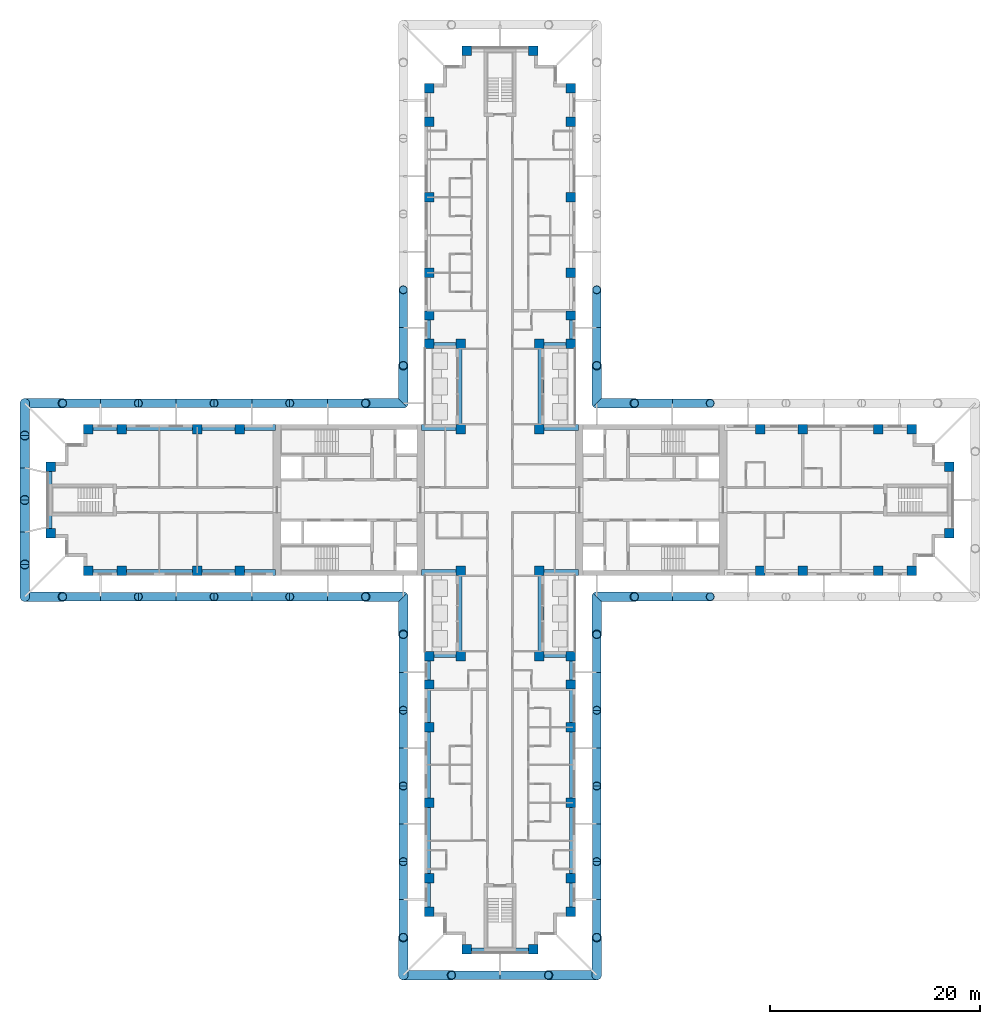
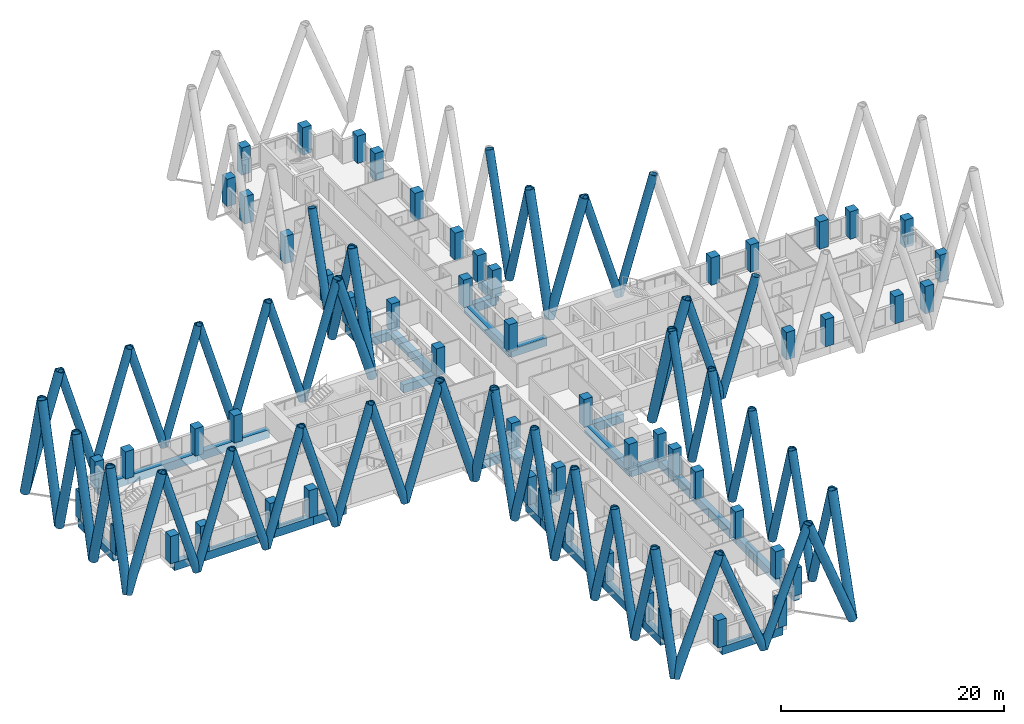
# One storey, part 1 of 17: 62 members, 56 columns, 34 beams.
"""IFC4 building model written with IfcOpenShell, lengths in metres."""

from ifc_helpers import new_model, si_unit, direction, frame, origin, origin_2d, place, context, subcontext, project, spatial, rectangle, hollow_circle, extrude, material, material_profile, profile_set, type_object, element, save


model = new_model("IFC4")

# Units and contexts
model_context = context("Model", 3, precision=1e-05, world=origin(), true_north=direction((0.0, 1.0)))
body_context = subcontext(model_context, "Body", "Model", "MODEL_VIEW")
ifc_project = project(units=[si_unit("LENGTHUNIT", "METRE"), si_unit("AREAUNIT", "SQUARE_METRE"), si_unit("VOLUMEUNIT", "CUBIC_METRE"), si_unit("PLANEANGLEUNIT", "RADIAN"), si_unit("MASSUNIT", "GRAM", prefix="KILO")], contexts=[model_context])

# Site, building, storey
site_placement = place(None, origin())
site = spatial("IfcSite", under=ifc_project, at=site_placement, CompositionType="ELEMENT")
building_placement = place(site_placement, origin())
building = spatial("IfcBuilding", under=site, at=building_placement, Name="Fustian Cross Tower", CompositionType="ELEMENT")
storey_placement = place(building_placement, frame((0.0, 0.0, 32.699951171875)))
storey = spatial("IfcBuildingStorey", under=building, at=storey_placement, Name="L09", CompositionType="ELEMENT", Elevation=32.699951171875)

# Columns
ifc_material_1 = material(Name="Concrete C70/85", Category="concrete")
ifc_material_profile_1 = material_profile(ifc_material_1, rectangle(XDim=0.89990234375, YDim=0.89990234375, at=origin_2d()), Name="RC 900x900")
ifc_profile_set_1 = profile_set([ifc_material_profile_1], Name="Concrete C70/85")
column_type = type_object("IfcColumnType", Name="COLUMN RC 900x900 C70/85", PredefinedType="COLUMN", material=ifc_profile_set_1)
for number, where, z_axis, x_axis, name in (
    (1, (-42.75, -3.14990234375, 0.0), (0.0, 0.0, 1.0), (1.0, 0.0, 0.0), "COLUMN 001"),
    (2, (-42.75, 3.14990234375, 0.0), (0.0, 0.0, 1.0), (1.0, 0.0, 0.0), "COLUMN 002"),
    (3, (-39.14990234375, -6.75, 0.0), (0.0, 0.0, 1.0), (1.0, 0.0, 0.0), "COLUMN 003"),
    (4, (-39.14990234375, 6.75, 0.0), (0.0, 0.0, 1.0), (1.0, 0.0, 0.0), "COLUMN 004"),
    (5, (-36.0, -6.75, 0.0), (0.0, 0.0, 1.0), (1.0, 0.0, 0.0), "COLUMN 005"),
    (6, (-36.0, 6.75, 0.0), (0.0, 0.0, 1.0), (1.0, 0.0, 0.0), "COLUMN 006"),
    (7, (-28.800048828125, -6.75, 0.0), (0.0, 0.0, 1.0), (1.0, 0.0, 0.0), "COLUMN 007"),
    (8, (-28.800048828125, 6.75, 0.0), (0.0, 0.0, 1.0), (1.0, 0.0, 0.0), "COLUMN 010"),
    (9, (-24.75, -6.75, 0.0), (0.0, 0.0, 1.0), (1.0, 0.0, 0.0), "COLUMN 011"),
    (10, (-24.75, 6.75, 0.0), (0.0, 0.0, 1.0), (1.0, 0.0, 0.0), "COLUMN 012"),
    (11, (-6.75, -39.14990234375, 0.0), (0.0, 0.0, 1.0), (1.0, 0.0, 0.0), "COLUMN 013"),
    (12, (-6.75, -36.0, 0.0), (0.0, 0.0, 1.0), (1.0, 0.0, 0.0), "COLUMN 014"),
    (13, (-6.75, -28.800048828125, 0.0), (0.0, 0.0, 1.0), (1.0, 0.0, 0.0), "COLUMN 015"),
    (14, (-6.75, -21.60009765625, 0.0), (0.0, 0.0, 1.0), (1.0, 0.0, 0.0), "COLUMN 016"),
    (15, (-6.75, -17.550048828125, 0.0), (0.0, 0.0, 1.0), (1.0, 0.0, 0.0), "COLUMN 017"),
    (16, (-6.75, -14.85009765625, 0.0), (0.0, 0.0, 1.0), (1.0, 0.0, 0.0), "COLUMN 018"),
    (17, (-6.75, 14.85009765625, 0.0), (0.0, 0.0, 1.0), (1.0, 0.0, 0.0), "COLUMN 019"),
    (18, (-6.75, 17.550048828125, 0.0), (0.0, 0.0, 1.0), (1.0, 0.0, 0.0), "COLUMN 020"),
    (19, (-6.75, 21.60009765625, 0.0), (0.0, 0.0, 1.0), (1.0, 0.0, 0.0), "COLUMN 021"),
    (20, (-6.75, 28.800048828125, 0.0), (0.0, 0.0, 1.0), (1.0, 0.0, 0.0), "COLUMN 022"),
    (21, (-6.75, 36.0, 0.0), (0.0, 0.0, 1.0), (1.0, 0.0, 0.0), "COLUMN 023"),
    (22, (-6.75, 39.14990234375, 0.0), (0.0, 0.0, 1.0), (1.0, 0.0, 0.0), "COLUMN 024"),
    (23, (-3.75, -14.85009765625, 0.0), (0.0, 0.0, 1.0), (1.0, 0.0, 0.0), "COLUMN 025"),
    (24, (-3.75, -6.75, 0.0), (0.0, 0.0, 1.0), (1.0, 0.0, 0.0), "COLUMN 026"),
    (25, (-3.75, 6.75, 0.0), (0.0, 0.0, 1.0), (1.0, 0.0, 0.0), "COLUMN 027"),
    (26, (-3.75, 14.85009765625, 0.0), (0.0, 0.0, 1.0), (1.0, 0.0, 0.0), "COLUMN 028"),
    (27, (-3.14990234375, -42.75, 0.0), (0.0, 0.0, 1.0), (1.0, 0.0, 0.0), "COLUMN 029"),
    (28, (-3.14990234375, 42.75, 0.0), (0.0, 0.0, 1.0), (1.0, 0.0, 0.0), "COLUMN 032"),
    (29, (3.14990234375, -42.75, 0.0), (0.0, 0.0, 1.0), (1.0, 0.0, 0.0), "COLUMN 033"),
    (30, (3.14990234375, 42.75, 0.0), (0.0, 0.0, 1.0), (1.0, 0.0, 0.0), "COLUMN 036"),
    (31, (3.75, -14.85009765625, 0.0), (0.0, 0.0, 1.0), (1.0, 0.0, 0.0), "COLUMN 037"),
    (32, (3.75, -6.75, 0.0), (0.0, 0.0, 1.0), (1.0, 0.0, 0.0), "COLUMN 038"),
    (33, (3.75, 6.75, 0.0), (0.0, 0.0, 1.0), (1.0, 0.0, 0.0), "COLUMN 039"),
    (34, (3.75, 14.85009765625, 0.0), (0.0, 0.0, 1.0), (1.0, 0.0, 0.0), "COLUMN 040"),
    (35, (6.75, -39.14990234375, 0.0), (0.0, 0.0, 1.0), (1.0, 0.0, 0.0), "COLUMN 041"),
    (36, (6.75, -36.0, 0.0), (0.0, 0.0, 1.0), (1.0, 0.0, 0.0), "COLUMN 042"),
    (37, (6.75, -28.800048828125, 0.0), (0.0, 0.0, 1.0), (1.0, 0.0, 0.0), "COLUMN 043"),
    (38, (6.75, -21.60009765625, 0.0), (0.0, 0.0, 1.0), (1.0, 0.0, 0.0), "COLUMN 044"),
    (39, (6.75, -17.550048828125, 0.0), (0.0, 0.0, 1.0), (1.0, 0.0, 0.0), "COLUMN 045"),
    (40, (6.75, -14.85009765625, 0.0), (0.0, 0.0, 1.0), (1.0, 0.0, 0.0), "COLUMN 046"),
    (41, (6.75, 14.85009765625, 0.0), (0.0, 0.0, 1.0), (1.0, 0.0, 0.0), "COLUMN 047"),
    (42, (6.75, 17.550048828125, 0.0), (0.0, 0.0, 1.0), (1.0, 0.0, 0.0), "COLUMN 048"),
    (43, (6.75, 21.60009765625, 0.0), (0.0, 0.0, 1.0), (1.0, 0.0, 0.0), "COLUMN 049"),
    (44, (6.75, 28.800048828125, 0.0), (0.0, 0.0, 1.0), (1.0, 0.0, 0.0), "COLUMN 050"),
    (45, (6.75, 36.0, 0.0), (0.0, 0.0, 1.0), (1.0, 0.0, 0.0), "COLUMN 051"),
    (46, (6.75, 39.14990234375, 0.0), (0.0, 0.0, 1.0), (1.0, 0.0, 0.0), "COLUMN 052"),
    (47, (24.75, -6.75, 0.0), (0.0, 0.0, 1.0), (1.0, 0.0, 0.0), "COLUMN 053"),
    (48, (24.75, 6.75, 0.0), (0.0, 0.0, 1.0), (1.0, 0.0, 0.0), "COLUMN 054"),
    (49, (28.800048828125, -6.75, 0.0), (0.0, 0.0, 1.0), (1.0, 0.0, 0.0), "COLUMN 055"),
    (50, (28.800048828125, 6.75, 0.0), (0.0, 0.0, 1.0), (1.0, 0.0, 0.0), "COLUMN 058"),
    (51, (36.0, -6.75, 0.0), (0.0, 0.0, 1.0), (1.0, 0.0, 0.0), "COLUMN 059"),
    (52, (36.0, 6.75, 0.0), (0.0, 0.0, 1.0), (1.0, 0.0, 0.0), "COLUMN 060"),
    (53, (39.14990234375, -6.75, 0.0), (0.0, 0.0, 1.0), (1.0, 0.0, 0.0), "COLUMN 061"),
    (54, (39.14990234375, 6.75, 0.0), (0.0, 0.0, 1.0), (1.0, 0.0, 0.0), "COLUMN 062"),
    (55, (42.75, -3.14990234375, 0.0), (0.0, 0.0, 1.0), (1.0, 0.0, 0.0), "COLUMN 063"),
    (56, (42.75, 3.14990234375, 0.0), (0.0, 0.0, 1.0), (1.0, 0.0, 0.0), "COLUMN 064"),
):
    element("IfcColumn", number, at=place(storey_placement, frame(where, z_axis=z_axis, x_axis=x_axis)), inside=storey, type_object=column_type, Name=name, PredefinedType="COLUMN", context=body_context, shape_type="SweptSolid", body=[
        extrude(rectangle(XDim=0.89990234375, YDim=0.89990234375, at=origin_2d()), origin(), (0.0, 0.0, 1.0), 3.0),
    ])

# Members
ifc_material_2 = material(Name="Steel S355", Category="steel")
ifc_material_profile_2 = material_profile(ifc_material_2, hollow_circle(Radius=0.406494140625, WallThickness=0.0400390625, at=origin_2d()), Name="CHS 813x40")
ifc_profile_set_2 = profile_set([ifc_material_profile_2], Name="Steel S355")
member_type_1 = type_object("IfcMemberType", Name="DIAGRID DIAGONAL CHS 813x40", PredefinedType="BRACE", material=ifc_profile_set_2)
for number, where, z_axis, x_axis, name in (
    (57, (16.39990234375, -9.199951171875, 0.0), (-0.287337158709, 0.0, 0.957829503213), (0.0, -1.0, 0.0), "Diagrid diagonal E-S 02"),
    (58, (16.39990234375, -9.199951171875, 0.0), (0.287355036744, 0.0, 0.957824139839), (0.0, 1.0, 0.0), "Diagrid diagonal E-S 03"),
    (59, (16.39990234375, 9.199951171875, 0.0), (0.287355036744, 0.0, 0.957824139839), (0.0, 1.0, 0.0), "Diagrid diagonal E-N 08"),
    (60, (16.39990234375, 9.199951171875, 0.0), (-0.287337158709, 0.0, 0.957829503213), (0.0, -1.0, 0.0), "Diagrid diagonal E-N 09"),
    (61, (9.199951171875, 16.39990234375, 0.0), (0.0, -0.287337158709, 0.957829503213), (1.0, 0.0, 0.0), "Diagrid diagonal N-E 02"),
    (62, (9.199951171875, 16.39990234375, 0.0), (0.0, 0.287355036744, 0.957824139839), (-1.0, 0.0, 0.0), "Diagrid diagonal N-E 03"),
    (63, (-9.199951171875, 16.39990234375, 0.0), (0.0, 0.287355036744, 0.957824139839), (-1.0, 0.0, 0.0), "Diagrid diagonal N-W 08"),
    (64, (-9.199951171875, 16.39990234375, 0.0), (0.0, -0.287337158709, 0.957829503213), (1.0, 0.0, 0.0), "Diagrid diagonal N-W 09"),
    (65, (-16.39990234375, 9.199951171875, 0.0), (0.287337158709, 0.0, 0.957829503213), (0.0, 1.0, 0.0), "Diagrid diagonal W-N 02"),
    (66, (-16.39990234375, 9.199951171875, 0.0), (-0.287355036744, 0.0, 0.957824139839), (0.0, -1.0, 0.0), "Diagrid diagonal W-N 03"),
    (67, (-23.60009765625, 9.199951171875, 0.0), (0.287355036744, 0.0, 0.957824139839), (0.0, 1.0, 0.0), "Diagrid diagonal W-N 04"),
    (68, (-23.60009765625, 9.199951171875, 0.0), (-0.287337158709, 0.0, 0.957829503213), (0.0, -1.0, 0.0), "Diagrid diagonal W-N 05"),
    (69, (-30.800048828125, 9.199951171875, 0.0), (0.287355036744, 0.0, 0.957824139839), (0.0, 1.0, 0.0), "Diagrid diagonal W-N 06"),
    (70, (-30.800048828125, 9.199951171875, 0.0), (-0.287337158709, 0.0, 0.957829503213), (0.0, -1.0, 0.0), "Diagrid diagonal W-N 07"),
    (71, (-38.0, 9.199951171875, 0.0), (0.287355036744, 0.0, 0.957824139839), (0.0, 1.0, 0.0), "Diagrid diagonal W-N 08"),
    (72, (-38.0, 9.199951171875, 0.0), (-0.287355036744, 0.0, 0.957824139839), (0.0, -1.0, 0.0), "Diagrid diagonal W-N 09"),
    (73, (-38.0, -9.199951171875, 0.0), (-0.287355036744, 0.0, 0.957824139839), (0.0, -1.0, 0.0), "Diagrid diagonal W-S 02"),
    (74, (-38.0, -9.199951171875, 0.0), (0.287355036744, 0.0, 0.957824139839), (0.0, 1.0, 0.0), "Diagrid diagonal W-S 03"),
    (75, (-30.800048828125, -9.199951171875, 0.0), (-0.287337158709, 0.0, 0.957829503213), (0.0, -1.0, 0.0), "Diagrid diagonal W-S 04"),
    (76, (-30.800048828125, -9.199951171875, 0.0), (0.287355036744, 0.0, 0.957824139839), (0.0, 1.0, 0.0), "Diagrid diagonal W-S 05"),
    (77, (-23.60009765625, -9.199951171875, 0.0), (-0.287337158709, 0.0, 0.957829503213), (0.0, -1.0, 0.0), "Diagrid diagonal W-S 06"),
    (78, (-23.60009765625, -9.199951171875, 0.0), (0.287355036744, 0.0, 0.957824139839), (0.0, 1.0, 0.0), "Diagrid diagonal W-S 07"),
    (79, (-16.39990234375, -9.199951171875, 0.0), (-0.287355036744, 0.0, 0.957824139839), (0.0, -1.0, 0.0), "Diagrid diagonal W-S 08"),
    (80, (-16.39990234375, -9.199951171875, 0.0), (0.287337158709, 0.0, 0.957829503213), (0.0, 1.0, 0.0), "Diagrid diagonal W-S 09"),
    (81, (-9.199951171875, -16.39990234375, 0.0), (0.0, 0.287337158709, 0.957829503213), (-1.0, 0.0, 0.0), "Diagrid diagonal S-W 02"),
    (82, (-9.199951171875, -16.39990234375, 0.0), (0.0, -0.287355036744, 0.957824139839), (1.0, 0.0, 0.0), "Diagrid diagonal S-W 03"),
    (83, (-9.199951171875, -23.60009765625, 0.0), (0.0, 0.287355036744, 0.957824139839), (-1.0, 0.0, 0.0), "Diagrid diagonal S-W 04"),
    (84, (-9.199951171875, -23.60009765625, 0.0), (0.0, -0.287337158709, 0.957829503213), (1.0, 0.0, 0.0), "Diagrid diagonal S-W 05"),
    (85, (-9.199951171875, -30.800048828125, 0.0), (0.0, 0.287355036744, 0.957824139839), (-1.0, 0.0, 0.0), "Diagrid diagonal S-W 06"),
    (86, (-9.199951171875, -30.800048828125, 0.0), (0.0, -0.287337158709, 0.957829503213), (1.0, 0.0, 0.0), "Diagrid diagonal S-W 07"),
    (87, (-9.199951171875, -38.0, 0.0), (0.0, 0.287355036744, 0.957824139839), (-1.0, 0.0, 0.0), "Diagrid diagonal S-W 08"),
    (88, (-9.199951171875, -38.0, 0.0), (0.0, -0.287355036744, 0.957824139839), (1.0, 0.0, 0.0), "Diagrid diagonal S-W 09"),
):
    element("IfcMember", number, at=place(storey_placement, frame(where, z_axis=z_axis, x_axis=x_axis)), inside=storey, type_object=member_type_1, Name=name, PredefinedType="BRACE", context=body_context, shape_type="SweptSolid", body=[
        extrude(hollow_circle(Radius=0.406494140625, WallThickness=0.0400390625, at=origin_2d()), origin(), (0.0, 0.0, 1.0), 12.5283203125),
    ])
for number, where, z_axis, x_axis, name in (
    (89, (0.0, -45.199951171875, 0.0), (-0.3579426369, 0.0, 0.933743577589), (0.0, -1.0, 0.0), "Diagrid diagonal S-end 02"),
    (90, (0.0, -45.199951171875, 0.0), (0.3579426369, 0.0, 0.933743577589), (0.0, 1.0, 0.0), "Diagrid diagonal S-end 03"),
):
    element("IfcMember", number, at=place(storey_placement, frame(where, z_axis=z_axis, x_axis=x_axis)), inside=storey, type_object=member_type_1, Name=name, PredefinedType="BRACE", context=body_context, shape_type="SweptSolid", body=[
        extrude(hollow_circle(Radius=0.406494140625, WallThickness=0.0400390625, at=origin_2d()), origin(), (0.0, 0.0, 1.0), 12.8515625),
    ])
for number, where, z_axis, x_axis, name in (
    (91, (9.199951171875, -38.0, 0.0), (0.0, -0.287355036744, 0.957824139839), (1.0, 0.0, 0.0), "Diagrid diagonal S-E 02"),
    (92, (9.199951171875, -38.0, 0.0), (0.0, 0.287355036744, 0.957824139839), (-1.0, 0.0, 0.0), "Diagrid diagonal S-E 03"),
    (93, (9.199951171875, -30.800048828125, 0.0), (0.0, -0.287337158709, 0.957829503213), (1.0, 0.0, 0.0), "Diagrid diagonal S-E 04"),
    (94, (9.199951171875, -30.800048828125, 0.0), (0.0, 0.287355036744, 0.957824139839), (-1.0, 0.0, 0.0), "Diagrid diagonal S-E 05"),
    (95, (9.199951171875, -23.60009765625, 0.0), (0.0, -0.287337158709, 0.957829503213), (1.0, 0.0, 0.0), "Diagrid diagonal S-E 06"),
    (96, (9.199951171875, -23.60009765625, 0.0), (0.0, 0.287355036744, 0.957824139839), (-1.0, 0.0, 0.0), "Diagrid diagonal S-E 07"),
    (97, (9.199951171875, -16.39990234375, 0.0), (0.0, -0.287355036744, 0.957824139839), (1.0, 0.0, 0.0), "Diagrid diagonal S-E 08"),
    (98, (9.199951171875, -16.39990234375, 0.0), (0.0, 0.287337158709, 0.957829503213), (-1.0, 0.0, 0.0), "Diagrid diagonal S-E 09"),
):
    element("IfcMember", number, at=place(storey_placement, frame(where, z_axis=z_axis, x_axis=x_axis)), inside=storey, type_object=member_type_1, Name=name, PredefinedType="BRACE", context=body_context, shape_type="SweptSolid", body=[
        extrude(hollow_circle(Radius=0.406494140625, WallThickness=0.0400390625, at=origin_2d()), origin(), (0.0, 0.0, 1.0), 12.5283203125),
    ])
ifc_material_3 = material(Name="Steel S355", Category="steel")
ifc_material_profile_3 = material_profile(ifc_material_3, hollow_circle(Radius=0.457275390625, WallThickness=0.050048828125, at=origin_2d()), Name="CHS 914x50")
ifc_profile_set_3 = profile_set([ifc_material_profile_3], Name="Steel S355")
member_type_2 = type_object("IfcMemberType", Name="DIAGRID DIAGONAL CHS 914x50", PredefinedType="BRACE", material=ifc_profile_set_3)
for number, where, z_axis, x_axis, name in (
    (99, (9.199951171875, -9.199951171875, 0.0), (0.287355036744, 0.0, 0.957824139839), (0.0, 1.0, 0.0), "Diagrid diagonal E-S 01"),
    (100, (9.199951171875, 9.199951171875, 0.0), (0.287355036744, 0.0, 0.957824139839), (0.0, 1.0, 0.0), "Diagrid diagonal E-N 10"),
    (101, (9.199951171875, 9.199951171875, 0.0), (0.0, 0.287355036744, 0.957824139839), (-1.0, 0.0, 0.0), "Diagrid diagonal N-E 01"),
    (102, (-9.199951171875, 9.199951171875, 0.0), (0.0, 0.287355036744, 0.957824139839), (-1.0, 0.0, 0.0), "Diagrid diagonal N-W 10"),
    (103, (-9.199951171875, 9.199951171875, 0.0), (-0.287355036744, 0.0, 0.957824139839), (0.0, -1.0, 0.0), "Diagrid diagonal W-N 01"),
    (104, (-45.199951171875, 9.199951171875, 0.0), (0.287337158709, 0.0, 0.957829503213), (0.0, 1.0, 0.0), "Diagrid diagonal W-N 10"),
):
    element("IfcMember", number, at=place(storey_placement, frame(where, z_axis=z_axis, x_axis=x_axis)), inside=storey, type_object=member_type_2, Name=name, PredefinedType="BRACE", context=body_context, shape_type="SweptSolid", body=[
        extrude(hollow_circle(Radius=0.457275390625, WallThickness=0.050048828125, at=origin_2d()), origin(), (0.0, 0.0, 1.0), 12.5283203125),
    ])
for number, where, z_axis, x_axis, name in (
    (105, (-45.199951171875, 9.199951171875, 0.0), (0.0, -0.247597033967, 0.96886310115), (1.0, 0.0, 0.0), "Diagrid diagonal W-end 01"),
    (106, (-45.199951171875, 3.066650390625, 0.0), (0.0, 0.247597033967, 0.96886310115), (-1.0, 0.0, 0.0), "Diagrid diagonal W-end 02"),
    (107, (-45.199951171875, 3.066650390625, 0.0), (0.0, -0.247597033967, 0.96886310115), (1.0, 0.0, 0.0), "Diagrid diagonal W-end 03"),
    (108, (-45.199951171875, -3.066650390625, 0.0), (0.0, 0.247597033967, 0.96886310115), (-1.0, 0.0, 0.0), "Diagrid diagonal W-end 04"),
    (109, (-45.199951171875, -3.066650390625, 0.0), (0.0, -0.247597033967, 0.96886310115), (1.0, 0.0, 0.0), "Diagrid diagonal W-end 05"),
    (110, (-45.199951171875, -9.199951171875, 0.0), (0.0, 0.247597033967, 0.96886310115), (-1.0, 0.0, 0.0), "Diagrid diagonal W-end 06"),
):
    element("IfcMember", number, at=place(storey_placement, frame(where, z_axis=z_axis, x_axis=x_axis)), inside=storey, type_object=member_type_2, Name=name, PredefinedType="BRACE", context=body_context, shape_type="SweptSolid", body=[
        extrude(hollow_circle(Radius=0.457275390625, WallThickness=0.050048828125, at=origin_2d()), origin(), (0.0, 0.0, 1.0), 12.3857421875),
    ])
for number, where, z_axis, x_axis, name in (
    (111, (-45.199951171875, -9.199951171875, 0.0), (0.287337158709, 0.0, 0.957829503213), (0.0, 1.0, 0.0), "Diagrid diagonal W-S 01"),
    (112, (-9.199951171875, -9.199951171875, 0.0), (-0.287355036744, 0.0, 0.957824139839), (0.0, -1.0, 0.0), "Diagrid diagonal W-S 10"),
    (113, (-9.199951171875, -9.199951171875, 0.0), (0.0, -0.287355036744, 0.957824139839), (1.0, 0.0, 0.0), "Diagrid diagonal S-W 01"),
    (114, (-9.199951171875, -45.199951171875, 0.0), (0.0, 0.287337158709, 0.957829503213), (-1.0, 0.0, 0.0), "Diagrid diagonal S-W 10"),
):
    element("IfcMember", number, at=place(storey_placement, frame(where, z_axis=z_axis, x_axis=x_axis)), inside=storey, type_object=member_type_2, Name=name, PredefinedType="BRACE", context=body_context, shape_type="SweptSolid", body=[
        extrude(hollow_circle(Radius=0.457275390625, WallThickness=0.050048828125, at=origin_2d()), origin(), (0.0, 0.0, 1.0), 12.5283203125),
    ])
for number, where, z_axis, x_axis, name in (
    (115, (-9.199951171875, -45.199951171875, 0.0), (0.357926073629, 0.0, 0.933749926809), (0.0, 1.0, 0.0), "Diagrid diagonal S-end 01"),
    (116, (9.199951171875, -45.199951171875, 0.0), (-0.357926073629, 0.0, 0.933749926809), (0.0, -1.0, 0.0), "Diagrid diagonal S-end 04"),
):
    element("IfcMember", number, at=place(storey_placement, frame(where, z_axis=z_axis, x_axis=x_axis)), inside=storey, type_object=member_type_2, Name=name, PredefinedType="BRACE", context=body_context, shape_type="SweptSolid", body=[
        extrude(hollow_circle(Radius=0.457275390625, WallThickness=0.050048828125, at=origin_2d()), origin(), (0.0, 0.0, 1.0), 12.851318359375),
    ])
for number, where, z_axis, x_axis, name in (
    (117, (9.199951171875, -45.199951171875, 0.0), (0.0, 0.287337158709, 0.957829503213), (-1.0, 0.0, 0.0), "Diagrid diagonal S-E 01"),
    (118, (9.199951171875, -9.199951171875, 0.0), (0.0, -0.287355036744, 0.957824139839), (1.0, 0.0, 0.0), "Diagrid diagonal S-E 10"),
):
    element("IfcMember", number, at=place(storey_placement, frame(where, z_axis=z_axis, x_axis=x_axis)), inside=storey, type_object=member_type_2, Name=name, PredefinedType="BRACE", context=body_context, shape_type="SweptSolid", body=[
        extrude(hollow_circle(Radius=0.457275390625, WallThickness=0.050048828125, at=origin_2d()), origin(), (0.0, 0.0, 1.0), 12.5283203125),
    ])

# Beams
ifc_material_4 = material(Name="Concrete C50/60", Category="concrete")
ifc_material_profile_4 = material_profile(ifc_material_4, rectangle(XDim=0.60009765625, YDim=0.89990234375, at=origin_2d()), Name="RC 600x900")
ifc_profile_set_4 = profile_set([ifc_material_profile_4], Name="Concrete C50/60")
beam_type = type_object("IfcBeamType", Name="EDGE BEAM RC 600x900 C50/60", PredefinedType="SPANDREL", material=ifc_profile_set_4)
beam_1_placement = place(storey_placement, frame((7.449951171875, 6.89990234375, -0.449951171875), z_axis=(-1.0, 0.0, 0.0), x_axis=(0.0, -1.0, 0.0)))
element("IfcBeam", 119, at=beam_1_placement, inside=storey, type_object=beam_type, Name="EDGE BEAM L09-10", PredefinedType="SPANDREL", context=body_context, shape_type="SweptSolid", body=[
    extrude(rectangle(XDim=0.60009765625, YDim=0.89990234375, at=origin_2d()), origin(), (0.0, 0.0, 1.0), 3.699951171875),
])
beam_2_placement = place(storey_placement, frame((3.89990234375, 6.75, -0.449951171875), z_axis=(0.0, 1.0, 0.0), x_axis=(-1.0, 0.0, 0.0)))
element("IfcBeam", 120, at=beam_2_placement, inside=storey, type_object=beam_type, Name="EDGE BEAM L09-11", PredefinedType="SPANDREL", context=body_context, shape_type="SweptSolid", body=[
    extrude(rectangle(XDim=0.60009765625, YDim=0.89990234375, at=origin_2d()), origin(), (0.0, 0.0, 1.0), 8.10009765625),
])
beam_3_placement = place(storey_placement, frame((3.75, 14.699951171875, -0.449951171875), z_axis=(1.0, 0.0, 0.0), x_axis=(0.0, 1.0, 0.0)))
element("IfcBeam", 121, at=beam_3_placement, inside=storey, type_object=beam_type, Name="EDGE BEAM L09-12", PredefinedType="SPANDREL", context=body_context, shape_type="SweptSolid", body=[
    extrude(rectangle(XDim=0.60009765625, YDim=0.89990234375, at=origin_2d()), origin(), (0.0, 0.0, 1.0), 3.0),
])
for number, where, z_axis, x_axis, name in (
    (122, (6.89990234375, 14.85009765625, -0.449951171875), (0.0, 1.0, 0.0), (-1.0, 0.0, 0.0), "EDGE BEAM L09-13"),
    (123, (-6.89990234375, 17.550048828125, -0.449951171875), (0.0, -1.0, 0.0), (1.0, 0.0, 0.0), "EDGE BEAM L09-23"),
):
    element("IfcBeam", number, at=place(storey_placement, frame(where, z_axis=z_axis, x_axis=x_axis)), inside=storey, type_object=beam_type, Name=name, PredefinedType="SPANDREL", context=body_context, shape_type="SweptSolid", body=[
        extrude(rectangle(XDim=0.60009765625, YDim=0.89990234375, at=origin_2d()), origin(), (0.0, 0.0, 1.0), 2.699951171875),
    ])
beam_4_placement = place(storey_placement, frame((-6.75, 14.699951171875, -0.449951171875), z_axis=(1.0, 0.0, 0.0), x_axis=(0.0, 1.0, 0.0)))
element("IfcBeam", 124, at=beam_4_placement, inside=storey, type_object=beam_type, Name="EDGE BEAM L09-24", PredefinedType="SPANDREL", context=body_context, shape_type="SweptSolid", body=[
    extrude(rectangle(XDim=0.60009765625, YDim=0.89990234375, at=origin_2d()), origin(), (0.0, 0.0, 1.0), 3.0),
])
beam_5_placement = place(storey_placement, frame((-3.89990234375, 14.85009765625, -0.449951171875), z_axis=(0.0, -1.0, 0.0), x_axis=(1.0, 0.0, 0.0)))
element("IfcBeam", 125, at=beam_5_placement, inside=storey, type_object=beam_type, Name="EDGE BEAM L09-25", PredefinedType="SPANDREL", context=body_context, shape_type="SweptSolid", body=[
    extrude(rectangle(XDim=0.60009765625, YDim=0.89990234375, at=origin_2d()), origin(), (0.0, 0.0, 1.0), 8.10009765625),
])
beam_6_placement = place(storey_placement, frame((-3.75, 6.89990234375, -0.449951171875), z_axis=(-1.0, 0.0, 0.0), x_axis=(0.0, -1.0, 0.0)))
element("IfcBeam", 126, at=beam_6_placement, inside=storey, type_object=beam_type, Name="EDGE BEAM L09-26", PredefinedType="SPANDREL", context=body_context, shape_type="SweptSolid", body=[
    extrude(rectangle(XDim=0.60009765625, YDim=0.89990234375, at=origin_2d()), origin(), (0.0, 0.0, 1.0), 3.699951171875),
])
beam_7_placement = place(storey_placement, frame((-21.35009765625, 6.89990234375, -0.449951171875), z_axis=(-1.0, 0.0, 0.0), x_axis=(0.0, -1.0, 0.0)))
element("IfcBeam", 127, at=beam_7_placement, inside=storey, type_object=beam_type, Name="EDGE BEAM L09-27", PredefinedType="SPANDREL", context=body_context, shape_type="SweptSolid", body=[
    extrude(rectangle(XDim=0.60009765625, YDim=0.89990234375, at=origin_2d()), origin(), (0.0, 0.0, 1.0), 3.39990234375),
])
beam_8_placement = place(storey_placement, frame((-24.75, 6.89990234375, -0.449951171875), z_axis=(-1.0, 0.0, 0.0), x_axis=(0.0, -1.0, 0.0)))
element("IfcBeam", 128, at=beam_8_placement, inside=storey, type_object=beam_type, Name="EDGE BEAM L09-28", PredefinedType="SPANDREL", context=body_context, shape_type="SweptSolid", body=[
    extrude(rectangle(XDim=0.60009765625, YDim=0.89990234375, at=origin_2d()), origin(), (0.0, 0.0, 1.0), 4.050048828125),
])
beam_9_placement = place(storey_placement, frame((-28.800048828125, 6.89990234375, -0.449951171875), z_axis=(-1.0, 0.0, 0.0), x_axis=(0.0, -1.0, 0.0)))
element("IfcBeam", 129, at=beam_9_placement, inside=storey, type_object=beam_type, Name="EDGE BEAM L09-29", PredefinedType="SPANDREL", context=body_context, shape_type="SweptSolid", body=[
    extrude(rectangle(XDim=0.60009765625, YDim=0.89990234375, at=origin_2d()), origin(), (0.0, 0.0, 1.0), 7.199951171875),
])
beam_10_placement = place(storey_placement, frame((-36.0, 6.89990234375, -0.449951171875), z_axis=(-1.0, 0.0, 0.0), x_axis=(0.0, -1.0, 0.0)))
element("IfcBeam", 130, at=beam_10_placement, inside=storey, type_object=beam_type, Name="EDGE BEAM L09-30", PredefinedType="SPANDREL", context=body_context, shape_type="SweptSolid", body=[
    extrude(rectangle(XDim=0.60009765625, YDim=0.89990234375, at=origin_2d()), origin(), (0.0, 0.0, 1.0), 3.14990234375),
])
beam_11_placement = place(storey_placement, frame((-42.89990234375, 3.14990234375, -0.449951171875), z_axis=(0.0, -1.0, 0.0), x_axis=(1.0, 0.0, 0.0)))
element("IfcBeam", 131, at=beam_11_placement, inside=storey, type_object=beam_type, Name="EDGE BEAM L09-31", PredefinedType="SPANDREL", context=body_context, shape_type="SweptSolid", body=[
    extrude(rectangle(XDim=0.60009765625, YDim=0.89990234375, at=origin_2d()), origin(), (0.0, 0.0, 1.0), 6.2998046875),
])
beam_12_placement = place(storey_placement, frame((-39.14990234375, -6.89990234375, -0.449951171875), z_axis=(1.0, 0.0, 0.0), x_axis=(0.0, 1.0, 0.0)))
element("IfcBeam", 132, at=beam_12_placement, inside=storey, type_object=beam_type, Name="EDGE BEAM L09-32", PredefinedType="SPANDREL", context=body_context, shape_type="SweptSolid", body=[
    extrude(rectangle(XDim=0.60009765625, YDim=0.89990234375, at=origin_2d()), origin(), (0.0, 0.0, 1.0), 3.14990234375),
])
beam_13_placement = place(storey_placement, frame((-36.0, -6.89990234375, -0.449951171875), z_axis=(1.0, 0.0, 0.0), x_axis=(0.0, 1.0, 0.0)))
element("IfcBeam", 133, at=beam_13_placement, inside=storey, type_object=beam_type, Name="EDGE BEAM L09-33", PredefinedType="SPANDREL", context=body_context, shape_type="SweptSolid", body=[
    extrude(rectangle(XDim=0.60009765625, YDim=0.89990234375, at=origin_2d()), origin(), (0.0, 0.0, 1.0), 7.199951171875),
])
beam_14_placement = place(storey_placement, frame((-28.800048828125, -6.89990234375, -0.449951171875), z_axis=(1.0, 0.0, 0.0), x_axis=(0.0, 1.0, 0.0)))
element("IfcBeam", 134, at=beam_14_placement, inside=storey, type_object=beam_type, Name="EDGE BEAM L09-34", PredefinedType="SPANDREL", context=body_context, shape_type="SweptSolid", body=[
    extrude(rectangle(XDim=0.60009765625, YDim=0.89990234375, at=origin_2d()), origin(), (0.0, 0.0, 1.0), 4.050048828125),
])
beam_15_placement = place(storey_placement, frame((-24.75, -6.89990234375, -0.449951171875), z_axis=(1.0, 0.0, 0.0), x_axis=(0.0, 1.0, 0.0)))
element("IfcBeam", 135, at=beam_15_placement, inside=storey, type_object=beam_type, Name="EDGE BEAM L09-35", PredefinedType="SPANDREL", context=body_context, shape_type="SweptSolid", body=[
    extrude(rectangle(XDim=0.60009765625, YDim=0.89990234375, at=origin_2d()), origin(), (0.0, 0.0, 1.0), 3.39990234375),
])
beam_16_placement = place(storey_placement, frame((-7.449951171875, -6.89990234375, -0.449951171875), z_axis=(1.0, 0.0, 0.0), x_axis=(0.0, 1.0, 0.0)))
element("IfcBeam", 136, at=beam_16_placement, inside=storey, type_object=beam_type, Name="EDGE BEAM L09-36", PredefinedType="SPANDREL", context=body_context, shape_type="SweptSolid", body=[
    extrude(rectangle(XDim=0.60009765625, YDim=0.89990234375, at=origin_2d()), origin(), (0.0, 0.0, 1.0), 3.699951171875),
])
beam_17_placement = place(storey_placement, frame((-3.89990234375, -6.75, -0.449951171875), z_axis=(0.0, -1.0, 0.0), x_axis=(1.0, 0.0, 0.0)))
element("IfcBeam", 137, at=beam_17_placement, inside=storey, type_object=beam_type, Name="EDGE BEAM L09-37", PredefinedType="SPANDREL", context=body_context, shape_type="SweptSolid", body=[
    extrude(rectangle(XDim=0.60009765625, YDim=0.89990234375, at=origin_2d()), origin(), (0.0, 0.0, 1.0), 8.10009765625),
])
beam_18_placement = place(storey_placement, frame((-3.75, -14.699951171875, -0.449951171875), z_axis=(-1.0, 0.0, 0.0), x_axis=(0.0, -1.0, 0.0)))
element("IfcBeam", 138, at=beam_18_placement, inside=storey, type_object=beam_type, Name="EDGE BEAM L09-38", PredefinedType="SPANDREL", context=body_context, shape_type="SweptSolid", body=[
    extrude(rectangle(XDim=0.60009765625, YDim=0.89990234375, at=origin_2d()), origin(), (0.0, 0.0, 1.0), 3.0),
])
beam_19_placement = place(storey_placement, frame((-6.89990234375, -14.85009765625, -0.449951171875), z_axis=(0.0, -1.0, 0.0), x_axis=(1.0, 0.0, 0.0)))
element("IfcBeam", 139, at=beam_19_placement, inside=storey, type_object=beam_type, Name="EDGE BEAM L09-39", PredefinedType="SPANDREL", context=body_context, shape_type="SweptSolid", body=[
    extrude(rectangle(XDim=0.60009765625, YDim=0.89990234375, at=origin_2d()), origin(), (0.0, 0.0, 1.0), 2.699951171875),
])
beam_20_placement = place(storey_placement, frame((-6.89990234375, -17.550048828125, -0.449951171875), z_axis=(0.0, -1.0, 0.0), x_axis=(1.0, 0.0, 0.0)))
element("IfcBeam", 140, at=beam_20_placement, inside=storey, type_object=beam_type, Name="EDGE BEAM L09-40", PredefinedType="SPANDREL", context=body_context, shape_type="SweptSolid", body=[
    extrude(rectangle(XDim=0.60009765625, YDim=0.89990234375, at=origin_2d()), origin(), (0.0, 0.0, 1.0), 4.050048828125),
])
for number, where, z_axis, x_axis, name in (
    (141, (-6.89990234375, -21.60009765625, -0.449951171875), (0.0, -1.0, 0.0), (1.0, 0.0, 0.0), "EDGE BEAM L09-41"),
    (142, (-6.89990234375, -28.800048828125, -0.449951171875), (0.0, -1.0, 0.0), (1.0, 0.0, 0.0), "EDGE BEAM L09-42"),
):
    element("IfcBeam", number, at=place(storey_placement, frame(where, z_axis=z_axis, x_axis=x_axis)), inside=storey, type_object=beam_type, Name=name, PredefinedType="SPANDREL", context=body_context, shape_type="SweptSolid", body=[
        extrude(rectangle(XDim=0.60009765625, YDim=0.89990234375, at=origin_2d()), origin(), (0.0, 0.0, 1.0), 7.199951171875),
    ])
beam_21_placement = place(storey_placement, frame((-6.89990234375, -36.0, -0.449951171875), z_axis=(0.0, -1.0, 0.0), x_axis=(1.0, 0.0, 0.0)))
element("IfcBeam", 143, at=beam_21_placement, inside=storey, type_object=beam_type, Name="EDGE BEAM L09-43", PredefinedType="SPANDREL", context=body_context, shape_type="SweptSolid", body=[
    extrude(rectangle(XDim=0.60009765625, YDim=0.89990234375, at=origin_2d()), origin(), (0.0, 0.0, 1.0), 3.14990234375),
])
beam_22_placement = place(storey_placement, frame((-3.14990234375, -42.89990234375, -0.449951171875), z_axis=(1.0, 0.0, 0.0), x_axis=(0.0, 1.0, 0.0)))
element("IfcBeam", 144, at=beam_22_placement, inside=storey, type_object=beam_type, Name="EDGE BEAM L09-44", PredefinedType="SPANDREL", context=body_context, shape_type="SweptSolid", body=[
    extrude(rectangle(XDim=0.60009765625, YDim=0.89990234375, at=origin_2d()), origin(), (0.0, 0.0, 1.0), 6.2998046875),
])
beam_23_placement = place(storey_placement, frame((6.89990234375, -39.14990234375, -0.449951171875), z_axis=(0.0, 1.0, 0.0), x_axis=(-1.0, 0.0, 0.0)))
element("IfcBeam", 145, at=beam_23_placement, inside=storey, type_object=beam_type, Name="EDGE BEAM L09-45", PredefinedType="SPANDREL", context=body_context, shape_type="SweptSolid", body=[
    extrude(rectangle(XDim=0.60009765625, YDim=0.89990234375, at=origin_2d()), origin(), (0.0, 0.0, 1.0), 3.14990234375),
])
for number, where, z_axis, x_axis, name in (
    (146, (6.89990234375, -36.0, -0.449951171875), (0.0, 1.0, 0.0), (-1.0, 0.0, 0.0), "EDGE BEAM L09-46"),
    (147, (6.89990234375, -28.800048828125, -0.449951171875), (0.0, 1.0, 0.0), (-1.0, 0.0, 0.0), "EDGE BEAM L09-47"),
):
    element("IfcBeam", number, at=place(storey_placement, frame(where, z_axis=z_axis, x_axis=x_axis)), inside=storey, type_object=beam_type, Name=name, PredefinedType="SPANDREL", context=body_context, shape_type="SweptSolid", body=[
        extrude(rectangle(XDim=0.60009765625, YDim=0.89990234375, at=origin_2d()), origin(), (0.0, 0.0, 1.0), 7.199951171875),
    ])
beam_24_placement = place(storey_placement, frame((6.89990234375, -21.60009765625, -0.449951171875), z_axis=(0.0, 1.0, 0.0), x_axis=(-1.0, 0.0, 0.0)))
element("IfcBeam", 148, at=beam_24_placement, inside=storey, type_object=beam_type, Name="EDGE BEAM L09-48", PredefinedType="SPANDREL", context=body_context, shape_type="SweptSolid", body=[
    extrude(rectangle(XDim=0.60009765625, YDim=0.89990234375, at=origin_2d()), origin(), (0.0, 0.0, 1.0), 4.050048828125),
])
beam_25_placement = place(storey_placement, frame((6.89990234375, -17.550048828125, -0.449951171875), z_axis=(0.0, 1.0, 0.0), x_axis=(-1.0, 0.0, 0.0)))
element("IfcBeam", 149, at=beam_25_placement, inside=storey, type_object=beam_type, Name="EDGE BEAM L09-49", PredefinedType="SPANDREL", context=body_context, shape_type="SweptSolid", body=[
    extrude(rectangle(XDim=0.60009765625, YDim=0.89990234375, at=origin_2d()), origin(), (0.0, 0.0, 1.0), 2.699951171875),
])
beam_26_placement = place(storey_placement, frame((6.75, -14.699951171875, -0.449951171875), z_axis=(-1.0, 0.0, 0.0), x_axis=(0.0, -1.0, 0.0)))
element("IfcBeam", 150, at=beam_26_placement, inside=storey, type_object=beam_type, Name="EDGE BEAM L09-50", PredefinedType="SPANDREL", context=body_context, shape_type="SweptSolid", body=[
    extrude(rectangle(XDim=0.60009765625, YDim=0.89990234375, at=origin_2d()), origin(), (0.0, 0.0, 1.0), 3.0),
])
beam_27_placement = place(storey_placement, frame((3.89990234375, -14.85009765625, -0.449951171875), z_axis=(0.0, 1.0, 0.0), x_axis=(-1.0, 0.0, 0.0)))
element("IfcBeam", 151, at=beam_27_placement, inside=storey, type_object=beam_type, Name="EDGE BEAM L09-51", PredefinedType="SPANDREL", context=body_context, shape_type="SweptSolid", body=[
    extrude(rectangle(XDim=0.60009765625, YDim=0.89990234375, at=origin_2d()), origin(), (0.0, 0.0, 1.0), 8.10009765625),
])
beam_28_placement = place(storey_placement, frame((3.75, -6.89990234375, -0.449951171875), z_axis=(1.0, 0.0, 0.0), x_axis=(0.0, 1.0, 0.0)))
element("IfcBeam", 152, at=beam_28_placement, inside=storey, type_object=beam_type, Name="EDGE BEAM L09-52", PredefinedType="SPANDREL", context=body_context, shape_type="SweptSolid", body=[
    extrude(rectangle(XDim=0.60009765625, YDim=0.89990234375, at=origin_2d()), origin(), (0.0, 0.0, 1.0), 3.699951171875),
])

save(model, "model.ifc")
